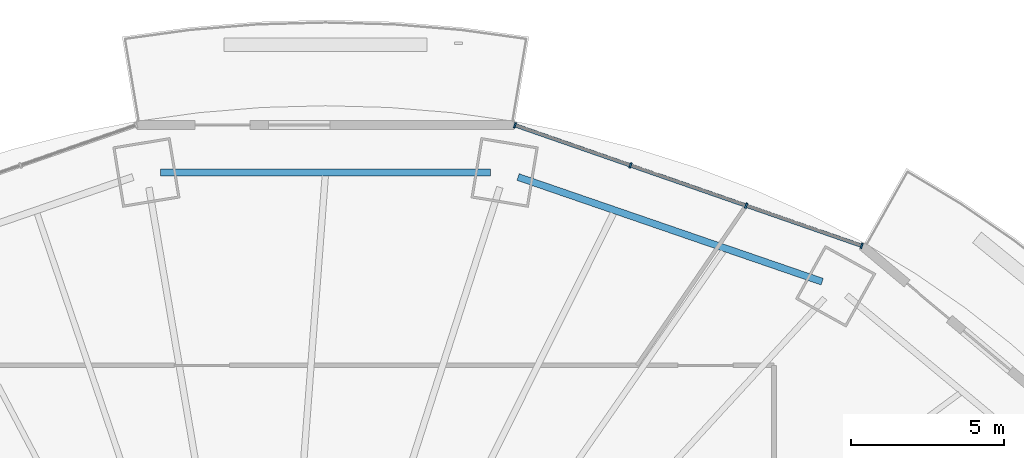
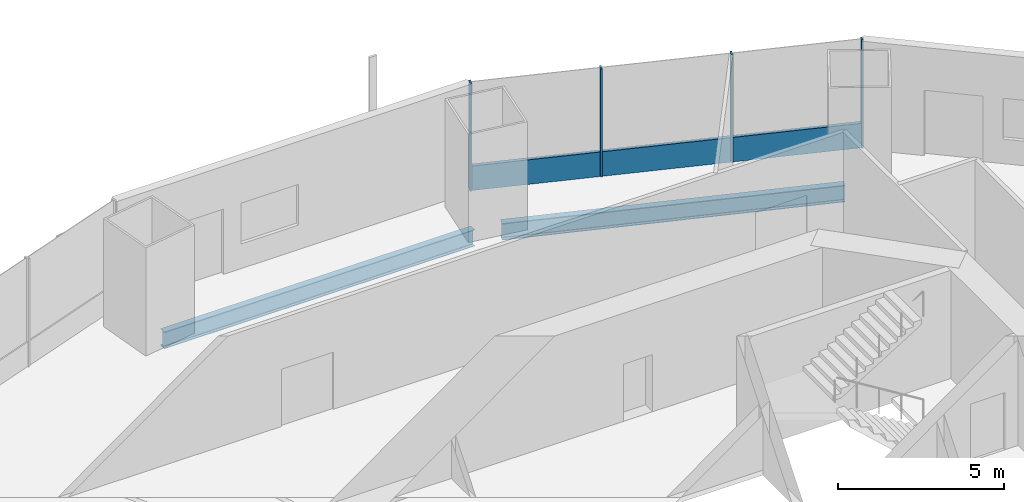
# One storey, part 9 of 21: 5 members, 2 beams, 1 element without a shape of its own.
"""IFC4 building model written with IfcOpenShell, lengths in metres."""

from ifc_helpers import new_model, si_unit, direction, frame, origin, origin_2d, place, context, subcontext, project, spatial, rectangle, i_section, extrude, material, material_profile, profile_set, type_object, element, aggregate, save


model = new_model("IFC4")

# Units and contexts
model_context = context("Model", 3, precision=1e-05, world=origin(), true_north=direction((0.0, 1.0)))
body_context = subcontext(model_context, "Body", "Model", "MODEL_VIEW")
ifc_project = project(units=[si_unit("LENGTHUNIT", "METRE"), si_unit("AREAUNIT", "SQUARE_METRE"), si_unit("VOLUMEUNIT", "CUBIC_METRE"), si_unit("PLANEANGLEUNIT", "RADIAN"), si_unit("MASSUNIT", "GRAM", prefix="KILO")], contexts=[model_context])

# Site, building, storey
site_placement = place(None, origin())
site = spatial("IfcSite", under=ifc_project, at=site_placement, CompositionType="ELEMENT")
building_placement = place(site_placement, origin())
building = spatial("IfcBuilding", under=site, at=building_placement, Name="Marenthal Gate Tower", CompositionType="ELEMENT")
storey_placement = place(building_placement, frame((0.0, 0.0, 206.699951171875)))
storey = spatial("IfcBuildingStorey", under=building, at=storey_placement, Name="L45", CompositionType="ELEMENT", Elevation=206.699951171875)

# Curtain wall, members
ifc_material_1 = material(Name="Aluminium and glass", Category="aluminium")
curtain_wall_type = type_object("IfcCurtainWallType", Name="Curtain wall typical mid", PredefinedType="NOTDEFINED", material=ifc_material_1)
curtain_wall_placement = place(storey_placement, origin())
curtain_wall = element("IfcCurtainWall", 1, at=curtain_wall_placement, inside=storey, type_object=curtain_wall_type, Name="Curtain wall L45 bay 3", PredefinedType="NOTDEFINED")
ifc_material_2 = material(Name="Aluminium", Category="aluminium")
ifc_material_profile_1 = material_profile(ifc_material_2, rectangle(XDim=0.179931640625, YDim=0.06005859375, at=origin_2d()), Name="60x180 aluminium mullion")
ifc_profile_set_1 = profile_set([ifc_material_profile_1], Name="Aluminium")
member_type_1 = type_object("IfcMemberType", Name="Mullion 60x180 typical mid", PredefinedType="MULLION", material=ifc_profile_set_1)
member_1_placement = place(storey_placement, frame((19.312255859375, 21.439697265625, 0.0), z_axis=(0.0, 0.0, 1.0), x_axis=(-0.328332307555, -0.944562277362, 0.0)))
member_1 = element("IfcMember", 2, at=member_1_placement, type_object=member_type_1, Name="Mullion L45 bay 3.1", PredefinedType="MULLION", context=body_context, shape_type="SweptSolid", body=[
    extrude(rectangle(XDim=0.179931640625, YDim=0.06005859375, at=origin_2d()), origin(), (0.0, 0.0, 1.0), 3.969970703125),
])
member_2_placement = place(storey_placement, frame((15.537353515625, 22.751708984375, 0.0), z_axis=(0.0, 0.0, 1.0), x_axis=(-0.328332307555, -0.944562277362, 0.0)))
member_2 = element("IfcMember", 3, at=member_2_placement, type_object=member_type_1, Name="Mullion L45 bay 3.2", PredefinedType="MULLION", context=body_context, shape_type="SweptSolid", body=[
    extrude(rectangle(XDim=0.179931640625, YDim=0.06005859375, at=origin_2d()), origin(), (0.0, 0.0, 1.0), 3.969970703125),
])
member_3_placement = place(storey_placement, frame((11.762451171875, 24.06396484375, 0.0), z_axis=(0.0, 0.0, 1.0), x_axis=(-0.328332307555, -0.944562277362, 0.0)))
member_3 = element("IfcMember", 4, at=member_3_placement, type_object=member_type_1, Name="Mullion L45 bay 3.3", PredefinedType="MULLION", context=body_context, shape_type="SweptSolid", body=[
    extrude(rectangle(XDim=0.179931640625, YDim=0.06005859375, at=origin_2d()), origin(), (0.0, 0.0, 1.0), 3.969970703125),
])
member_4_placement = place(storey_placement, frame((7.98779296875, 25.3759765625, 0.0), z_axis=(0.0, 0.0, 1.0), x_axis=(-0.328332307555, -0.944562277362, 0.0)))
member_4 = element("IfcMember", 5, at=member_4_placement, type_object=member_type_1, Name="Mullion L45 bay 3.4", PredefinedType="MULLION", context=body_context, shape_type="SweptSolid", body=[
    extrude(rectangle(XDim=0.179931640625, YDim=0.06005859375, at=origin_2d()), origin(), (0.0, 0.0, 1.0), 3.969970703125),
])
ifc_material_3 = material(Name="Aluminium", Category="aluminium")
ifc_material_profile_2 = material_profile(ifc_material_3, rectangle(XDim=0.1201171875, YDim=0.89990234375, at=origin_2d()), Name="120x900 aluminium transom")
ifc_profile_set_2 = profile_set([ifc_material_profile_2], Name="Aluminium")
member_type_2 = type_object("IfcMemberType", Name="Transom 120x900 typical mid", PredefinedType="USERDEFINED", material=ifc_profile_set_2)
member_5_placement = place(storey_placement, frame((19.283935546875, 21.449462890625, 0.449951171875), z_axis=(-0.944561661675, 0.328334078787, 0.0), x_axis=(-0.328334078787, -0.944561661675, 0.0)))
member_5 = element("IfcMember", 6, at=member_5_placement, type_object=member_type_2, Name="Transom L45 bay 3", ObjectType="TRANSOM", PredefinedType="USERDEFINED", context=body_context, shape_type="SweptSolid", body=[
    extrude(rectangle(XDim=0.1201171875, YDim=0.89990234375, at=origin_2d()), origin(), (0.0, 0.0, 1.0), 11.92919921875),
])
aggregate(curtain_wall, [member_1, member_2, member_3, member_4, member_5])

# Beams
ifc_material_4 = material(Name="Steel S355", Category="steel")
ifc_material_profile_3 = material_profile(ifc_material_4, i_section(OverallWidth=0.22900390625, OverallDepth=0.612060546875, WebThickness=0.011962890625, FlangeThickness=0.01953125, FilletRadius=0.0126953125, at=origin_2d()), Name="W610X125")
ifc_profile_set_3 = profile_set([ifc_material_profile_3], Name="Steel S355")
beam_type = type_object("IfcBeamType", Name="W610X125 beam", PredefinedType="BEAM", material=ifc_profile_set_3)
beam_1_placement = place(storey_placement, frame((18.023193359375, 20.267333984375, -0.48583984375), z_axis=(-0.945585416751, 0.325373968884, 0.0), x_axis=(-0.325373968884, -0.945585416751, 0.0)))
element("IfcBeam", 7, at=beam_1_placement, inside=storey, type_object=beam_type, Name="BM-L45-43", PredefinedType="BEAM", context=body_context, shape_type="SweptSolid", body=[
    extrude(i_section(OverallWidth=0.22900390625, OverallDepth=0.612060546875, WebThickness=0.011962890625, FlangeThickness=0.01953125, FilletRadius=0.0126953125, at=origin_2d()), origin(), (0.0, 0.0, 1.0), 10.50537109375),
])
beam_2_placement = place(storey_placement, frame((7.188232421875, 23.836181640625, -0.48583984375), z_axis=(-1.0, 0.0, 0.0), x_axis=(0.0, -1.0, 0.0)))
element("IfcBeam", 8, at=beam_2_placement, inside=storey, type_object=beam_type, Name="BM-L45-44", PredefinedType="BEAM", context=body_context, shape_type="SweptSolid", body=[
    extrude(i_section(OverallWidth=0.22900390625, OverallDepth=0.612060546875, WebThickness=0.011962890625, FlangeThickness=0.01953125, FilletRadius=0.0126953125, at=origin_2d()), origin(), (0.0, 0.0, 1.0), 10.7763671875),
])

save(model, "model.ifc")
